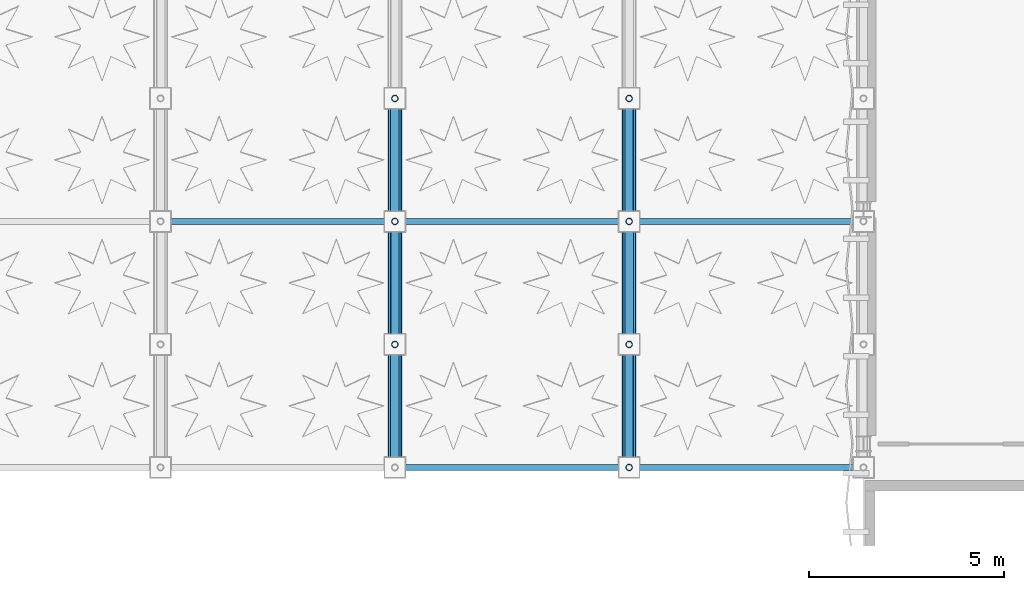
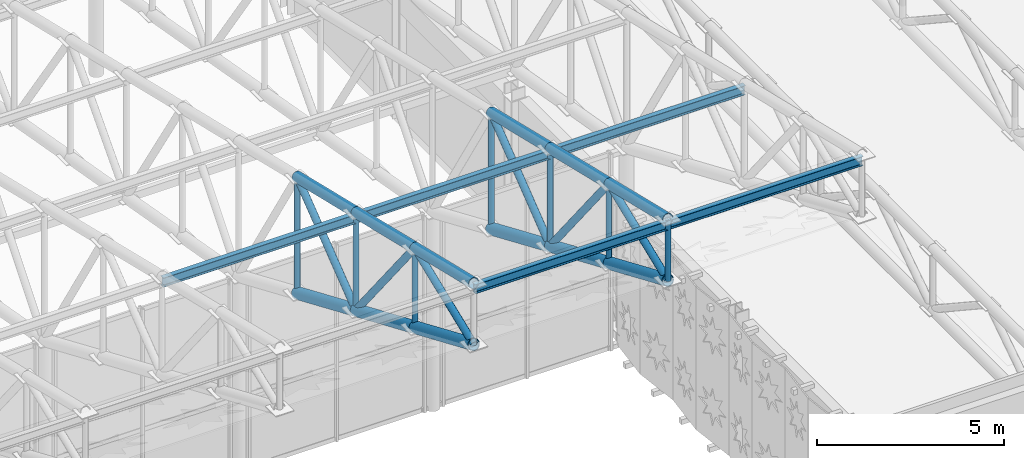
# One storey, part 17 of 123: 25 members, 5 beams.
"""IFC4 building model written with IfcOpenShell, lengths in metres."""

from ifc_helpers import new_model, si_unit, direction, frame, origin, origin_2d, place, context, subcontext, project, spatial, hollow_circle, i_section, extrude, material, material_profile, profile_set, type_object, element, save


model = new_model("IFC4")

# Units and contexts
model_context = context("Model", 3, precision=1e-05, world=origin(), true_north=direction((0.0, 1.0)))
body_context = subcontext(model_context, "Body", "Model", "MODEL_VIEW")
ifc_project = project(units=[si_unit("LENGTHUNIT", "METRE"), si_unit("AREAUNIT", "SQUARE_METRE"), si_unit("VOLUMEUNIT", "CUBIC_METRE"), si_unit("PLANEANGLEUNIT", "RADIAN"), si_unit("MASSUNIT", "GRAM", prefix="KILO"), si_unit("THERMODYNAMICTEMPERATUREUNIT", "KELVIN"), si_unit("POWERUNIT", "WATT")], contexts=[model_context])

# Site, building, storey
site_placement = place(None, origin())
site = spatial("IfcSite", under=ifc_project, at=site_placement, CompositionType="ELEMENT")
building_placement = place(site_placement, origin())
building = spatial("IfcBuilding", under=site, at=building_placement, Name="Phaisarnlok Congress Hotel", CompositionType="ELEMENT")
storey_placement = place(building_placement, frame((0.0, 0.0, 15.0)))
storey = spatial("IfcBuildingStorey", under=building, at=storey_placement, Name="L03", CompositionType="ELEMENT", Elevation=15.0)

# Beams
ifc_material = material(Name="Steel S355", Category="steel")
ifc_material_profile_1 = material_profile(ifc_material, i_section(OverallWidth=0.14990234375, OverallDepth=0.300048828125, WebThickness=0.007080078125, FlangeThickness=0.0107421875, FilletRadius=0.014892578125, at=origin_2d()), Name="IPE 300")
ifc_profile_set_1 = profile_set([ifc_material_profile_1], Name="Steel S355")
beam_type = type_object("IfcBeamType", Name="JS-STL-IPE300-EXT", PredefinedType="JOIST", material=ifc_profile_set_1)
for number, where, z_axis, x_axis, name in (
    (1, (78.0, 11.699951171875, 12.13427734375), (1.0, 0.0, 0.0), (0.0, 1.0, 0.0), "South wing roof purlin"),
    (2, (84.0, 11.699951171875, 12.13427734375), (1.0, 0.0, 0.0), (0.0, 1.0, 0.0), "South wing roof purlin"),
    (3, (84.0, 5.39990234375, 13.637939453125), (1.0, 0.0, 0.0), (0.0, 1.0, 0.0), "South wing roof purlin"),
    (4, (90.0, 11.699951171875, 12.13427734375), (1.0, 0.0, 0.0), (0.0, 1.0, 0.0), "South wing roof purlin"),
    (5, (90.0, 5.39990234375, 13.637939453125), (1.0, 0.0, 0.0), (0.0, 1.0, 0.0), "South wing roof purlin"),
):
    element("IfcBeam", number, at=place(storey_placement, frame(where, z_axis=z_axis, x_axis=x_axis)), inside=storey, type_object=beam_type, Name=name, PredefinedType="JOIST", context=body_context, shape_type="SweptSolid", body=[
        extrude(i_section(OverallWidth=0.14990234375, OverallDepth=0.300048828125, WebThickness=0.007080078125, FlangeThickness=0.0107421875, FilletRadius=0.014892578125, at=origin_2d()), origin(), (0.0, 0.0, 1.0), 6.0),
    ])

# Members
ifc_material_profile_2 = material_profile(ifc_material, hollow_circle(Radius=0.084228515625, WallThickness=0.010009765625, at=origin_2d()), Name="CHS 168.3x10")
ifc_profile_set_2 = profile_set([ifc_material_profile_2], Name="Steel S355")
member_type_1 = type_object("IfcMemberType", Name="MEM-BRC-CHS168-EXT", PredefinedType="BRACE", material=ifc_profile_set_2)
member_1_placement = place(storey_placement, frame((84.0, 14.85009765625, 7.75), z_axis=(0.0, 0.0, 1.0), x_axis=(1.0, 0.0, 0.0)))
element("IfcMember", 6, at=member_1_placement, inside=storey, type_object=member_type_1, Name="South wing roof truss vertical web", PredefinedType="BRACE", context=body_context, shape_type="SweptSolid", body=[
    extrude(hollow_circle(Radius=0.084228515625, WallThickness=0.010009765625, at=origin_2d()), origin(), (0.0, 0.0, 1.0), 3.79443359375),
])
member_2_placement = place(storey_placement, frame((84.0, 11.699951171875, 9.10009765625), z_axis=(0.0, 0.0, 1.0), x_axis=(1.0, 0.0, 0.0)))
element("IfcMember", 7, at=member_2_placement, inside=storey, type_object=member_type_1, Name="South wing roof truss vertical web", PredefinedType="BRACE", context=body_context, shape_type="SweptSolid", body=[
    extrude(hollow_circle(Radius=0.084228515625, WallThickness=0.010009765625, at=origin_2d()), origin(), (0.0, 0.0, 1.0), 3.1962890625),
])
member_3_placement = place(storey_placement, frame((84.0, 8.550048828125, 10.449951171875), z_axis=(0.0, 0.0, 1.0), x_axis=(1.0, 0.0, 0.0)))
element("IfcMember", 8, at=member_3_placement, inside=storey, type_object=member_type_1, Name="South wing roof truss vertical web", PredefinedType="BRACE", context=body_context, shape_type="SweptSolid", body=[
    extrude(hollow_circle(Radius=0.084228515625, WallThickness=0.010009765625, at=origin_2d()), origin(), (0.0, 0.0, 1.0), 2.59814453125),
])
member_4_placement = place(storey_placement, frame((90.0, 14.85009765625, 7.75), z_axis=(0.0, 0.0, 1.0), x_axis=(1.0, 0.0, 0.0)))
element("IfcMember", 9, at=member_4_placement, inside=storey, type_object=member_type_1, Name="South wing roof truss vertical web", PredefinedType="BRACE", context=body_context, shape_type="SweptSolid", body=[
    extrude(hollow_circle(Radius=0.084228515625, WallThickness=0.010009765625, at=origin_2d()), origin(), (0.0, 0.0, 1.0), 3.79443359375),
])
member_5_placement = place(storey_placement, frame((90.0, 11.699951171875, 9.10009765625), z_axis=(0.0, 0.0, 1.0), x_axis=(1.0, 0.0, 0.0)))
element("IfcMember", 10, at=member_5_placement, inside=storey, type_object=member_type_1, Name="South wing roof truss vertical web", PredefinedType="BRACE", context=body_context, shape_type="SweptSolid", body=[
    extrude(hollow_circle(Radius=0.084228515625, WallThickness=0.010009765625, at=origin_2d()), origin(), (0.0, 0.0, 1.0), 3.1962890625),
])
member_6_placement = place(storey_placement, frame((90.0, 8.550048828125, 10.449951171875), z_axis=(0.0, 0.0, 1.0), x_axis=(1.0, 0.0, 0.0)))
element("IfcMember", 11, at=member_6_placement, inside=storey, type_object=member_type_1, Name="South wing roof truss vertical web", PredefinedType="BRACE", context=body_context, shape_type="SweptSolid", body=[
    extrude(hollow_circle(Radius=0.084228515625, WallThickness=0.010009765625, at=origin_2d()), origin(), (0.0, 0.0, 1.0), 2.59814453125),
])
member_7_placement = place(storey_placement, frame((90.0, 5.39990234375, 11.800048828125), z_axis=(0.0, 0.0, 1.0), x_axis=(1.0, 0.0, 0.0)))
element("IfcMember", 12, at=member_7_placement, inside=storey, type_object=member_type_1, Name="South wing roof truss vertical web", PredefinedType="BRACE", context=body_context, shape_type="SweptSolid", body=[
    extrude(hollow_circle(Radius=0.084228515625, WallThickness=0.010009765625, at=origin_2d()), origin(), (0.0, 0.0, 1.0), 2.0),
])
ifc_material_profile_3 = material_profile(ifc_material, hollow_circle(Radius=0.109619140625, WallThickness=0.012451171875, at=origin_2d()), Name="CHS 219.1x12.5")
ifc_profile_set_3 = profile_set([ifc_material_profile_3], Name="Steel S355")
member_type_2 = type_object("IfcMemberType", Name="MEM-BRC-CHS219-EXT", PredefinedType="BRACE", material=ifc_profile_set_3)
member_8_placement = place(storey_placement, frame((84.0, 11.699951171875, 9.10009765625), z_axis=(0.0, 0.790053964884, 0.613037301125), x_axis=(-1.0, 0.0, 0.0)))
element("IfcMember", 13, at=member_8_placement, inside=storey, type_object=member_type_2, Name="South wing roof truss diagonal brace", PredefinedType="BRACE", context=body_context, shape_type="SweptSolid", body=[
    extrude(hollow_circle(Radius=0.109619140625, WallThickness=0.012451171875, at=origin_2d()), origin(), (0.0, 0.0, 1.0), 3.9873046875),
])
member_9_placement = place(storey_placement, frame((84.0, 11.699951171875, 9.10009765625), z_axis=(0.0, -0.623668780247, 0.781688718445), x_axis=(1.0, 0.0, 0.0)))
element("IfcMember", 14, at=member_9_placement, inside=storey, type_object=member_type_2, Name="South wing roof truss diagonal brace", PredefinedType="BRACE", context=body_context, shape_type="SweptSolid", body=[
    extrude(hollow_circle(Radius=0.109619140625, WallThickness=0.012451171875, at=origin_2d()), origin(), (0.0, 0.0, 1.0), 5.050537109375),
])
member_10_placement = place(storey_placement, frame((84.0, 5.39990234375, 11.800048828125), z_axis=(0.0, 0.929694070323, 0.368332642602), x_axis=(-1.0, 0.0, 0.0)))
element("IfcMember", 15, at=member_10_placement, inside=storey, type_object=member_type_2, Name="South wing roof truss diagonal brace", PredefinedType="BRACE", context=body_context, shape_type="SweptSolid", body=[
    extrude(hollow_circle(Radius=0.109619140625, WallThickness=0.012451171875, at=origin_2d()), origin(), (0.0, 0.0, 1.0), 3.388427734375),
])
member_11_placement = place(storey_placement, frame((90.0, 11.699951171875, 9.10009765625), z_axis=(0.0, 0.790053964884, 0.613037301125), x_axis=(-1.0, 0.0, 0.0)))
element("IfcMember", 16, at=member_11_placement, inside=storey, type_object=member_type_2, Name="South wing roof truss diagonal brace", PredefinedType="BRACE", context=body_context, shape_type="SweptSolid", body=[
    extrude(hollow_circle(Radius=0.109619140625, WallThickness=0.012451171875, at=origin_2d()), origin(), (0.0, 0.0, 1.0), 3.9873046875),
])
member_12_placement = place(storey_placement, frame((90.0, 11.699951171875, 9.10009765625), z_axis=(0.0, -0.623668780247, 0.781688718445), x_axis=(1.0, 0.0, 0.0)))
element("IfcMember", 17, at=member_12_placement, inside=storey, type_object=member_type_2, Name="South wing roof truss diagonal brace", PredefinedType="BRACE", context=body_context, shape_type="SweptSolid", body=[
    extrude(hollow_circle(Radius=0.109619140625, WallThickness=0.012451171875, at=origin_2d()), origin(), (0.0, 0.0, 1.0), 5.050537109375),
])
member_13_placement = place(storey_placement, frame((90.0, 5.39990234375, 11.800048828125), z_axis=(0.0, 0.929694070323, 0.368332642602), x_axis=(-1.0, 0.0, 0.0)))
element("IfcMember", 18, at=member_13_placement, inside=storey, type_object=member_type_2, Name="South wing roof truss diagonal brace", PredefinedType="BRACE", context=body_context, shape_type="SweptSolid", body=[
    extrude(hollow_circle(Radius=0.109619140625, WallThickness=0.012451171875, at=origin_2d()), origin(), (0.0, 0.0, 1.0), 3.388427734375),
])
ifc_material_profile_4 = material_profile(ifc_material, hollow_circle(Radius=0.161865234375, WallThickness=0.01611328125, at=origin_2d()), Name="CHS 323.9x16")
ifc_profile_set_4 = profile_set([ifc_material_profile_4], Name="Steel S355")
member_type_3 = type_object("IfcMemberType", Name="MEM-CHD-CHS324-EXT", PredefinedType="CHORD", material=ifc_profile_set_4)
member_14_placement = place(storey_placement, frame((84.0, 14.85009765625, 11.54443359375), z_axis=(0.0, -0.972672595385, 0.232181011686), x_axis=(1.0, 0.0, 0.0)))
element("IfcMember", 19, at=member_14_placement, inside=storey, type_object=member_type_3, Name="South wing roof truss top chord", PredefinedType="CHORD", context=body_context, shape_type="SweptSolid", body=[
    extrude(hollow_circle(Radius=0.161865234375, WallThickness=0.01611328125, at=origin_2d()), origin(), (0.0, 0.0, 1.0), 3.23876953125),
])
member_15_placement = place(storey_placement, frame((84.0, 11.699951171875, 12.29638671875), z_axis=(0.0, -0.972685555578, 0.232126711023), x_axis=(1.0, 0.0, 0.0)))
element("IfcMember", 20, at=member_15_placement, inside=storey, type_object=member_type_3, Name="South wing roof truss top chord", PredefinedType="CHORD", context=body_context, shape_type="SweptSolid", body=[
    extrude(hollow_circle(Radius=0.161865234375, WallThickness=0.01611328125, at=origin_2d()), origin(), (0.0, 0.0, 1.0), 3.23828125),
])
for number, where, z_axis, x_axis, name in (
    (21, (84.0, 8.550048828125, 13.048095703125), (0.0, -0.972672595385, 0.232181011686), (1.0, 0.0, 0.0), "South wing roof truss top chord"),
    (22, (90.0, 14.85009765625, 11.54443359375), (0.0, -0.972672595385, 0.232181011686), (1.0, 0.0, 0.0), "South wing roof truss top chord"),
):
    element("IfcMember", number, at=place(storey_placement, frame(where, z_axis=z_axis, x_axis=x_axis)), inside=storey, type_object=member_type_3, Name=name, PredefinedType="CHORD", context=body_context, shape_type="SweptSolid", body=[
        extrude(hollow_circle(Radius=0.161865234375, WallThickness=0.01611328125, at=origin_2d()), origin(), (0.0, 0.0, 1.0), 3.23876953125),
    ])
member_16_placement = place(storey_placement, frame((90.0, 11.699951171875, 12.29638671875), z_axis=(0.0, -0.972685555578, 0.232126711023), x_axis=(1.0, 0.0, 0.0)))
element("IfcMember", 23, at=member_16_placement, inside=storey, type_object=member_type_3, Name="South wing roof truss top chord", PredefinedType="CHORD", context=body_context, shape_type="SweptSolid", body=[
    extrude(hollow_circle(Radius=0.161865234375, WallThickness=0.01611328125, at=origin_2d()), origin(), (0.0, 0.0, 1.0), 3.23828125),
])
member_17_placement = place(storey_placement, frame((90.0, 8.550048828125, 13.048095703125), z_axis=(0.0, -0.972672595385, 0.232181011686), x_axis=(1.0, 0.0, 0.0)))
element("IfcMember", 24, at=member_17_placement, inside=storey, type_object=member_type_3, Name="South wing roof truss top chord", PredefinedType="CHORD", context=body_context, shape_type="SweptSolid", body=[
    extrude(hollow_circle(Radius=0.161865234375, WallThickness=0.01611328125, at=origin_2d()), origin(), (0.0, 0.0, 1.0), 3.23876953125),
])
ifc_material_profile_5 = material_profile(ifc_material, hollow_circle(Radius=0.177734375, WallThickness=0.02001953125, at=origin_2d()), Name="CHS 355.6x20")
ifc_profile_set_5 = profile_set([ifc_material_profile_5], Name="Steel S355")
member_type_4 = type_object("IfcMemberType", Name="MEM-CHD-CHS356-EXT", PredefinedType="CHORD", material=ifc_profile_set_5)
member_18_placement = place(storey_placement, frame((84.0, 14.85009765625, 7.75), z_axis=(0.0, -0.919141345424, 0.393927895853), x_axis=(1.0, 0.0, 0.0)))
element("IfcMember", 25, at=member_18_placement, inside=storey, type_object=member_type_4, Name="South wing roof truss bottom chord", PredefinedType="CHORD", context=body_context, shape_type="SweptSolid", body=[
    extrude(hollow_circle(Radius=0.177734375, WallThickness=0.02001953125, at=origin_2d()), origin(), (0.0, 0.0, 1.0), 3.42724609375),
])
member_19_placement = place(storey_placement, frame((84.0, 11.699951171875, 9.10009765625), z_axis=(0.0, -0.919156084351, 0.393893504137), x_axis=(1.0, 0.0, 0.0)))
element("IfcMember", 26, at=member_19_placement, inside=storey, type_object=member_type_4, Name="South wing roof truss bottom chord", PredefinedType="CHORD", context=body_context, shape_type="SweptSolid", body=[
    extrude(hollow_circle(Radius=0.177734375, WallThickness=0.02001953125, at=origin_2d()), origin(), (0.0, 0.0, 1.0), 3.427001953125),
])
for number, where, z_axis, x_axis, name in (
    (27, (84.0, 8.550048828125, 10.449951171875), (0.0, -0.919141345424, 0.393927895853), (1.0, 0.0, 0.0), "South wing roof truss bottom chord"),
    (28, (90.0, 14.85009765625, 7.75), (0.0, -0.919141345424, 0.393927895853), (1.0, 0.0, 0.0), "South wing roof truss bottom chord"),
):
    element("IfcMember", number, at=place(storey_placement, frame(where, z_axis=z_axis, x_axis=x_axis)), inside=storey, type_object=member_type_4, Name=name, PredefinedType="CHORD", context=body_context, shape_type="SweptSolid", body=[
        extrude(hollow_circle(Radius=0.177734375, WallThickness=0.02001953125, at=origin_2d()), origin(), (0.0, 0.0, 1.0), 3.42724609375),
    ])
member_20_placement = place(storey_placement, frame((90.0, 11.699951171875, 9.10009765625), z_axis=(0.0, -0.919156084351, 0.393893504137), x_axis=(1.0, 0.0, 0.0)))
element("IfcMember", 29, at=member_20_placement, inside=storey, type_object=member_type_4, Name="South wing roof truss bottom chord", PredefinedType="CHORD", context=body_context, shape_type="SweptSolid", body=[
    extrude(hollow_circle(Radius=0.177734375, WallThickness=0.02001953125, at=origin_2d()), origin(), (0.0, 0.0, 1.0), 3.427001953125),
])
member_21_placement = place(storey_placement, frame((90.0, 8.550048828125, 10.449951171875), z_axis=(0.0, -0.919141345424, 0.393927895853), x_axis=(1.0, 0.0, 0.0)))
element("IfcMember", 30, at=member_21_placement, inside=storey, type_object=member_type_4, Name="South wing roof truss bottom chord", PredefinedType="CHORD", context=body_context, shape_type="SweptSolid", body=[
    extrude(hollow_circle(Radius=0.177734375, WallThickness=0.02001953125, at=origin_2d()), origin(), (0.0, 0.0, 1.0), 3.42724609375),
])

save(model, "model.ifc")
